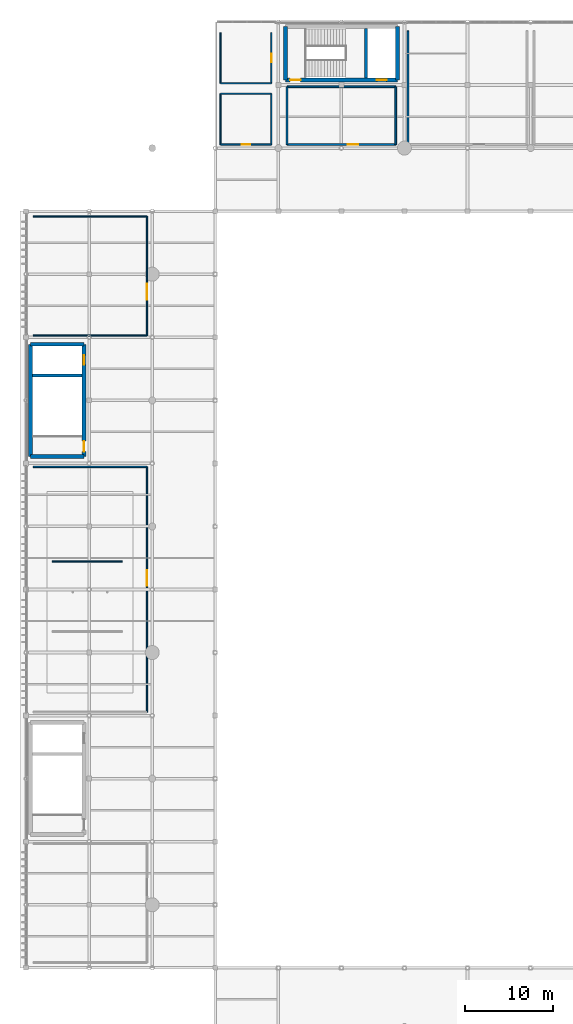
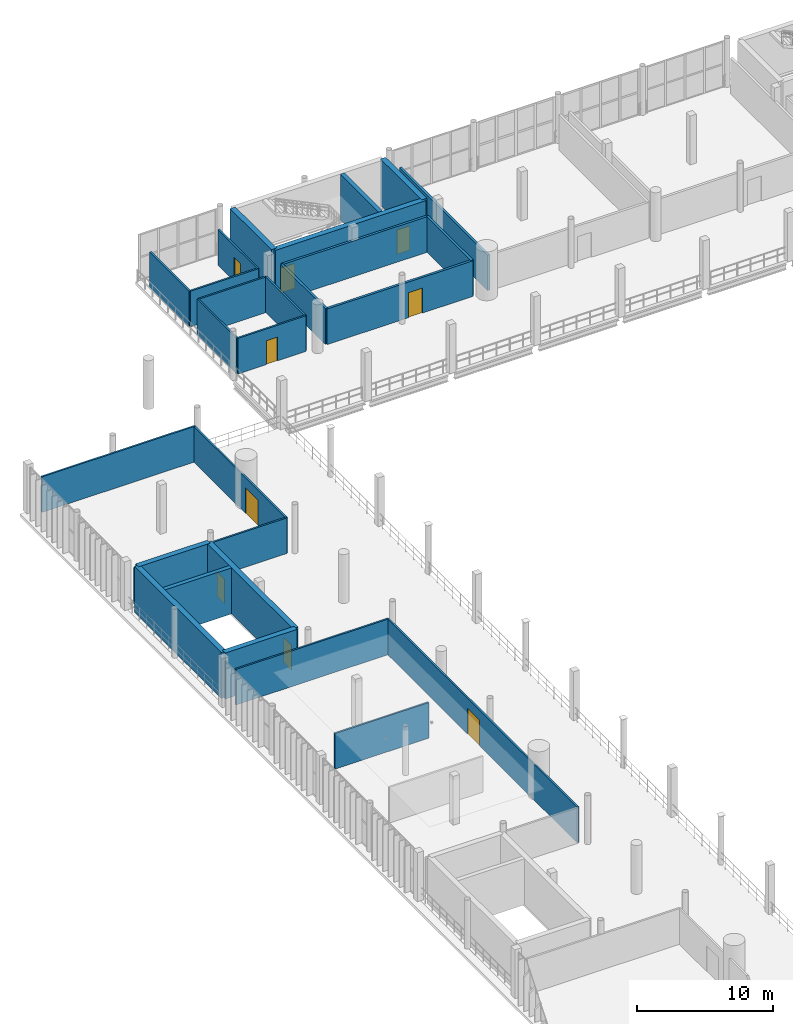
# One storey, part 59 of 81: 27 walls, 9 doors, 9 openings.
"""IFC4 building model written with IfcOpenShell, lengths in metres."""

from ifc_helpers import new_model, si_unit, direction, frame, frame_2d, origin, place, context, subcontext, project, spatial, rectangle, extrude, material, layer, layer_set, type_object, element, fill, save


model = new_model("IFC4")

# Units and contexts
model_context = context("Model", 3, precision=1e-05, world=origin(), true_north=direction((0.0, 1.0)))
body_context = subcontext(model_context, "Body", "Model", "MODEL_VIEW")
ifc_project = project(units=[si_unit("LENGTHUNIT", "METRE"), si_unit("AREAUNIT", "SQUARE_METRE"), si_unit("VOLUMEUNIT", "CUBIC_METRE"), si_unit("PLANEANGLEUNIT", "RADIAN"), si_unit("MASSUNIT", "GRAM", prefix="KILO")], contexts=[model_context])

# Site, building, storey
site_placement = place(None, origin())
site = spatial("IfcSite", under=ifc_project, at=site_placement, CompositionType="ELEMENT")
building_placement = place(site_placement, origin())
building = spatial("IfcBuilding", under=site, at=building_placement, Name="Qandorah Velis Arena", CompositionType="ELEMENT")
storey_placement = place(building_placement, frame((0.0, 0.0, 18.60009765625)))
storey = spatial("IfcBuildingStorey", under=building, at=storey_placement, Name="L04", CompositionType="ELEMENT", Elevation=18.60009765625)

# Wall, opening, door
ifc_material_1 = material(Name="Concrete C35/45", Category="concrete")
ifc_layer_1 = layer(ifc_material_1, 0.199951171875)
ifc_layer_set_1 = layer_set([ifc_layer_1], Name="Concrete C35/45")
wall_type_1 = type_object("IfcWallType", Name="ARC-WAL-FD60-200", PredefinedType="PARTITIONING", material=ifc_layer_set_1)
wall_1_placement = place(storey_placement, frame((29.800048828125, 115.60009765625, 0.0), z_axis=(0.0, 0.0, 1.0), x_axis=(1.0, 0.0, 0.0)))
wall_1 = element("IfcWall", 1, at=wall_1_placement, inside=storey, type_object=wall_type_1, Name="Interior partition L04-TV-ST4 (S)", PredefinedType="PARTITIONING", context=body_context, shape_type="SweptSolid", body=[
    extrude(rectangle(XDim=12.39990234375, YDim=0.199951171875, at=frame_2d((6.199951171875, 0.0))), origin(), (0.0, 0.0, 1.0), 3.2099609375),
])
opening_1_placement = place(wall_1_placement, frame((6.89990234375, 0.0, 0.0)))
opening_1 = element("IfcOpeningElement", 2, at=opening_1_placement, cuts=wall_1, Name="Opening FD2", PredefinedType="OPENING", context=body_context, shape_type="SweptSolid", body=[
    extrude(rectangle(XDim=1.199951171875, YDim=2.25, at=frame_2d((0.60009765625, 1.125))), frame((0.0, 0.10986328125, 0.0), z_axis=(0.0, -1.0, 0.0), x_axis=(1.0, 0.0, 0.0)), (0.0, 0.0, 1.0), 0.219970703125),
])
ifc_material_2 = material(Name="Insulated fire-rated single steel door", Category="steel")
door_type_1 = type_object("IfcDoorType", Name="ARC-DR-FD1200", OperationType="NOTDEFINED", PredefinedType="DOOR", material=ifc_material_2)
door_1_placement = place(opening_1_placement, frame((1.199951171875, 0.0, 0.0), z_axis=(0.0, 0.0, 1.0), x_axis=(-1.0, 0.0, 0.0)))
door_1 = element("IfcDoor", 3, at=door_1_placement, inside=storey, type_object=door_type_1, Name="Door L04-TV-ST4", OperationType="SINGLE_SWING_RIGHT", OverallHeight=2.25, OverallWidth=1.199951171875, PredefinedType="DOOR", context=body_context, shape_type="SweptSolid", body=[
    extrude(rectangle(XDim=1.199951171875, YDim=2.25, at=frame_2d((0.60009765625, 1.125))), frame((0.0, 0.02490234375, 0.0), z_axis=(0.0, -1.0, 0.0), x_axis=(1.0, 0.0, 0.0)), (0.0, 0.0, 1.0), 0.050048828125),
])
fill(opening_1, door_1)

# Walls
wall_2_placement = place(storey_placement, frame((42.199951171875, 115.60009765625, 0.0), z_axis=(0.0, 0.0, 1.0), x_axis=(0.0, 1.0, 0.0)))
element("IfcWall", 4, at=wall_2_placement, inside=storey, type_object=wall_type_1, Name="Interior partition L04-TV-ST4 (E)", PredefinedType="PARTITIONING", context=body_context, shape_type="SweptSolid", body=[
    extrude(rectangle(XDim=6.599853515625, YDim=0.199951171875, at=frame_2d((3.2998046875, 0.0))), origin(), (0.0, 0.0, 1.0), 3.2099609375),
])
wall_3_placement = place(storey_placement, frame((42.199951171875, 122.199951171875, 0.0), z_axis=(0.0, 0.0, 1.0), x_axis=(-1.0, 0.0, 0.0)))
element("IfcWall", 5, at=wall_3_placement, inside=storey, type_object=wall_type_1, Name="Interior partition L04-TV-ST4 (N)", PredefinedType="PARTITIONING", context=body_context, shape_type="SweptSolid", body=[
    extrude(rectangle(XDim=12.39990234375, YDim=0.199951171875, at=frame_2d((6.199951171875, 0.0))), origin(), (0.0, 0.0, 1.0), 3.2099609375),
])
wall_4_placement = place(storey_placement, frame((29.800048828125, 122.199951171875, 0.0), z_axis=(0.0, 0.0, 1.0), x_axis=(0.0, -1.0, 0.0)))
element("IfcWall", 6, at=wall_4_placement, inside=storey, type_object=wall_type_1, Name="Interior partition L04-TV-ST4 (W)", PredefinedType="PARTITIONING", context=body_context, shape_type="SweptSolid", body=[
    extrude(rectangle(XDim=6.599853515625, YDim=0.199951171875, at=frame_2d((3.2998046875, 0.0))), origin(), (0.0, 0.0, 1.0), 3.2099609375),
])
wall_5_placement = place(storey_placement, frame((43.60009765625, 128.60009765625, 0.0), z_axis=(0.0, 0.0, 1.0), x_axis=(0.0, -1.0, 0.0)))
element("IfcWall", 7, at=wall_5_placement, inside=storey, type_object=wall_type_1, Name="Interior partition L04-TV-ST3 (W)", PredefinedType="PARTITIONING", context=body_context, shape_type="SweptSolid", body=[
    extrude(rectangle(XDim=13.0, YDim=0.199951171875, at=frame_2d((6.5, 0.0))), origin(), (0.0, 0.0, 1.0), 3.2099609375),
])
ifc_material_3 = material(Name="Steel S355", Category="steel")
ifc_layer_2 = layer(ifc_material_3, 0.139892578125)
ifc_layer_set_2 = layer_set([ifc_layer_2], Name="Steel S355")
wall_type_2 = type_object("IfcWallType", Name="ARC-WAL-MOV140", PredefinedType="MOVABLE", material=ifc_layer_set_2)
wall_6_placement = place(storey_placement, frame((3.0, 68.0, 0.0), z_axis=(0.0, 0.0, 1.0), x_axis=(1.0, 0.0, 0.0)))
element("IfcWall", 8, at=wall_6_placement, inside=storey, type_object=wall_type_2, Name="Operable acoustic partition MP-06", PredefinedType="MOVABLE", context=body_context, shape_type="SweptSolid", body=[
    extrude(rectangle(XDim=8.0, YDim=0.139892578125, at=frame_2d((4.0, 0.0))), origin(), (0.0, 0.0, 1.0), 3.199951171875),
])

# Wall, opening, door
ifc_layer_3 = layer(ifc_material_1, 0.14990234375)
ifc_layer_set_3 = layer_set([ifc_layer_3], Name="Concrete C35/45")
wall_type_3 = type_object("IfcWallType", Name="ARC-WAL-PART150", PredefinedType="PARTITIONING", material=ifc_layer_set_3)
wall_7_placement = place(storey_placement, frame((13.800048828125, 50.800048828125, 0.0), z_axis=(0.0, 0.0, 1.0), x_axis=(0.0, 1.0, 0.0)))
wall_7 = element("IfcWall", 9, at=wall_7_placement, inside=storey, type_object=wall_type_3, Name="Interior partition L04-PRS-WRK (E)", PredefinedType="PARTITIONING", context=body_context, shape_type="SweptSolid", body=[
    extrude(rectangle(XDim=28.0, YDim=0.14990234375, at=frame_2d((14.0, 0.0))), origin(), (0.0, 0.0, 1.0), 3.2099609375),
])
opening_2_placement = place(wall_7_placement, frame((14.39990234375, 0.0, 0.0)))
opening_2 = element("IfcOpeningElement", 10, at=opening_2_placement, cuts=wall_7, Name="Opening D3", PredefinedType="OPENING", context=body_context, shape_type="SweptSolid", body=[
    extrude(rectangle(XDim=1.800048828125, YDim=2.300048828125, at=frame_2d((0.89990234375, 1.14990234375))), frame((0.0, 0.0849609375, 0.0), z_axis=(0.0, -1.0, 0.0), x_axis=(1.0, 0.0, 0.0)), (0.0, 0.0, 1.0), 0.169921875),
])
ifc_material_4 = material(Name="Double-leaf acoustic timber door", Category="wood")
door_type_2 = type_object("IfcDoorType", Name="ARC-DR-DBL1800", OperationType="NOTDEFINED", PredefinedType="DOOR", material=ifc_material_4)
door_2_placement = place(opening_2_placement, frame((1.800048828125, 0.0, 0.0), z_axis=(0.0, 0.0, 1.0), x_axis=(-1.0, 0.0, 0.0)))
door_2 = element("IfcDoor", 11, at=door_2_placement, inside=storey, type_object=door_type_2, Name="Door L04-PRS-WRK", OperationType="DOUBLE_DOOR_SINGLE_SWING", OverallHeight=2.300048828125, OverallWidth=1.800048828125, PredefinedType="DOOR", context=body_context, shape_type="SweptSolid", body=[
    extrude(rectangle(XDim=1.800048828125, YDim=2.300048828125, at=frame_2d((0.89990234375, 1.14990234375))), frame((0.0, 0.02490234375, 0.0), z_axis=(0.0, -1.0, 0.0), x_axis=(1.0, 0.0, 0.0)), (0.0, 0.0, 1.0), 0.050048828125),
])
fill(opening_2, door_2)

# Walls
for number, where, z_axis, x_axis, name in (
    (12, (13.800048828125, 78.800048828125, 0.0), (0.0, 0.0, 1.0), (-1.0, 0.0, 0.0), "Interior partition L04-PRS-WRK (N)"),
    (13, (0.800048828125, 93.800048828125, 0.0), (0.0, 0.0, 1.0), (1.0, 0.0, 0.0), "Interior partition L04-MED-DIN (S)"),
):
    element("IfcWall", number, at=place(storey_placement, frame(where, z_axis=z_axis, x_axis=x_axis)), inside=storey, type_object=wall_type_3, Name=name, PredefinedType="PARTITIONING", context=body_context, shape_type="SweptSolid", body=[
        extrude(rectangle(XDim=13.0, YDim=0.14990234375, at=frame_2d((6.5, 0.0))), origin(), (0.0, 0.0, 1.0), 3.2099609375),
    ])

# Wall, opening, door
wall_8_placement = place(storey_placement, frame((13.800048828125, 93.800048828125, 0.0), z_axis=(0.0, 0.0, 1.0), x_axis=(0.0, 1.0, 0.0)))
wall_8 = element("IfcWall", 14, at=wall_8_placement, inside=storey, type_object=wall_type_3, Name="Interior partition L04-MED-DIN (E)", PredefinedType="PARTITIONING", context=body_context, shape_type="SweptSolid", body=[
    extrude(rectangle(XDim=13.599853515625, YDim=0.14990234375, at=frame_2d((6.7998046875, 0.0))), origin(), (0.0, 0.0, 1.0), 3.2099609375),
])
opening_3_placement = place(wall_8_placement, frame((4.10009765625, 0.0, 0.0)))
opening_3 = element("IfcOpeningElement", 15, at=opening_3_placement, cuts=wall_8, Name="Opening D3", PredefinedType="OPENING", context=body_context, shape_type="SweptSolid", body=[
    extrude(rectangle(XDim=1.800048828125, YDim=2.300048828125, at=frame_2d((0.89990234375, 1.14990234375))), frame((0.0, 0.0849609375, 0.0), z_axis=(0.0, -1.0, 0.0), x_axis=(1.0, 0.0, 0.0)), (0.0, 0.0, 1.0), 0.169921875),
])
door_3_placement = place(opening_3_placement, frame((1.800048828125, 0.0, 0.0), z_axis=(0.0, 0.0, 1.0), x_axis=(-1.0, 0.0, 0.0)))
door_3 = element("IfcDoor", 16, at=door_3_placement, inside=storey, type_object=door_type_2, Name="Door L04-MED-DIN", OperationType="DOUBLE_DOOR_SINGLE_SWING", OverallHeight=2.300048828125, OverallWidth=1.800048828125, PredefinedType="DOOR", context=body_context, shape_type="SweptSolid", body=[
    extrude(rectangle(XDim=1.800048828125, YDim=2.300048828125, at=frame_2d((0.89990234375, 1.14990234375))), frame((0.0, 0.02490234375, 0.0), z_axis=(0.0, -1.0, 0.0), x_axis=(1.0, 0.0, 0.0)), (0.0, 0.0, 1.0), 0.050048828125),
])
fill(opening_3, door_3)

# Wall
wall_9_placement = place(storey_placement, frame((13.800048828125, 107.39990234375, 0.0), z_axis=(0.0, 0.0, 1.0), x_axis=(-1.0, 0.0, 0.0)))
element("IfcWall", 17, at=wall_9_placement, inside=storey, type_object=wall_type_3, Name="Interior partition L04-MED-DIN (N)", PredefinedType="PARTITIONING", context=body_context, shape_type="SweptSolid", body=[
    extrude(rectangle(XDim=13.0, YDim=0.14990234375, at=frame_2d((6.5, 0.0))), origin(), (0.0, 0.0, 1.0), 3.2099609375),
])

# Wall, opening, door
wall_10_placement = place(storey_placement, frame((22.199951171875, 115.60009765625, 0.0), z_axis=(0.0, 0.0, 1.0), x_axis=(1.0, 0.0, 0.0)))
wall_10 = element("IfcWall", 18, at=wall_10_placement, inside=storey, type_object=wall_type_3, Name="Interior partition L04-L04-MWC (S)", PredefinedType="PARTITIONING", context=body_context, shape_type="SweptSolid", body=[
    extrude(rectangle(XDim=5.800048828125, YDim=0.14990234375, at=frame_2d((2.89990234375, 0.0))), origin(), (0.0, 0.0, 1.0), 3.2099609375),
])
opening_4_placement = place(wall_10_placement, frame((2.425048828125, 0.0, 0.0)))
opening_4 = element("IfcOpeningElement", 19, at=opening_4_placement, cuts=wall_10, Name="Opening D4", PredefinedType="OPENING", context=body_context, shape_type="SweptSolid", body=[
    extrude(rectangle(XDim=0.949951171875, YDim=2.14990234375, at=frame_2d((0.47509765625, 1.074951171875))), frame((0.0, 0.0849609375, 0.0), z_axis=(0.0, -1.0, 0.0), x_axis=(1.0, 0.0, 0.0)), (0.0, 0.0, 1.0), 0.169921875),
])
ifc_material_5 = material(Name="Moisture-resistant laminate door")
door_type_3 = type_object("IfcDoorType", Name="ARC-DR-WC950", OperationType="NOTDEFINED", PredefinedType="DOOR", material=ifc_material_5)
door_4_placement = place(opening_4_placement, origin())
door_4 = element("IfcDoor", 20, at=door_4_placement, inside=storey, type_object=door_type_3, Name="Door L04-L04-MWC", OperationType="SINGLE_SWING_LEFT", OverallHeight=2.14990234375, OverallWidth=0.949951171875, PredefinedType="DOOR", context=body_context, shape_type="SweptSolid", body=[
    extrude(rectangle(XDim=0.949951171875, YDim=2.14990234375, at=frame_2d((0.47509765625, 1.074951171875))), frame((0.0, 0.02490234375, 0.0), z_axis=(0.0, -1.0, 0.0), x_axis=(1.0, 0.0, 0.0)), (0.0, 0.0, 1.0), 0.050048828125),
])
fill(opening_4, door_4)

# Walls
wall_11_placement = place(storey_placement, frame((28.0, 115.60009765625, 0.0), z_axis=(0.0, 0.0, 1.0), x_axis=(0.0, 1.0, 0.0)))
element("IfcWall", 21, at=wall_11_placement, inside=storey, type_object=wall_type_3, Name="Interior partition L04-L04-MWC (E)", PredefinedType="PARTITIONING", context=body_context, shape_type="SweptSolid", body=[
    extrude(rectangle(XDim=5.7998046875, YDim=0.14990234375, at=frame_2d((2.89990234375, 0.0))), origin(), (0.0, 0.0, 1.0), 3.2099609375),
])
wall_12_placement = place(storey_placement, frame((28.0, 121.39990234375, 0.0), z_axis=(0.0, 0.0, 1.0), x_axis=(-1.0, 0.0, 0.0)))
element("IfcWall", 22, at=wall_12_placement, inside=storey, type_object=wall_type_3, Name="Interior partition L04-L04-MWC (N)", PredefinedType="PARTITIONING", context=body_context, shape_type="SweptSolid", body=[
    extrude(rectangle(XDim=5.800048828125, YDim=0.14990234375, at=frame_2d((2.89990234375, 0.0))), origin(), (0.0, 0.0, 1.0), 3.2099609375),
])
wall_13_placement = place(storey_placement, frame((22.199951171875, 121.39990234375, 0.0), z_axis=(0.0, 0.0, 1.0), x_axis=(0.0, -1.0, 0.0)))
element("IfcWall", 23, at=wall_13_placement, inside=storey, type_object=wall_type_3, Name="Interior partition L04-L04-MWC (W)", PredefinedType="PARTITIONING", context=body_context, shape_type="SweptSolid", body=[
    extrude(rectangle(XDim=5.7998046875, YDim=0.14990234375, at=frame_2d((2.89990234375, 0.0))), origin(), (0.0, 0.0, 1.0), 3.2099609375),
])
wall_14_placement = place(storey_placement, frame((22.199951171875, 122.60009765625, 0.0), z_axis=(0.0, 0.0, 1.0), x_axis=(1.0, 0.0, 0.0)))
element("IfcWall", 24, at=wall_14_placement, inside=storey, type_object=wall_type_3, Name="Interior partition L04-L04-FWC (S)", PredefinedType="PARTITIONING", context=body_context, shape_type="SweptSolid", body=[
    extrude(rectangle(XDim=5.800048828125, YDim=0.14990234375, at=frame_2d((2.89990234375, 0.0))), origin(), (0.0, 0.0, 1.0), 3.2099609375),
])

# Wall, opening, door
wall_15_placement = place(storey_placement, frame((28.0, 122.60009765625, 0.0), z_axis=(0.0, 0.0, 1.0), x_axis=(0.0, 1.0, 0.0)))
wall_15 = element("IfcWall", 25, at=wall_15_placement, inside=storey, type_object=wall_type_3, Name="Interior partition L04-L04-FWC (E)", PredefinedType="PARTITIONING", context=body_context, shape_type="SweptSolid", body=[
    extrude(rectangle(XDim=5.7998046875, YDim=0.14990234375, at=frame_2d((2.89990234375, 0.0))), origin(), (0.0, 0.0, 1.0), 3.2099609375),
])
opening_5_placement = place(wall_15_placement, frame((2.425048828125, 0.0, 0.0)))
opening_5 = element("IfcOpeningElement", 26, at=opening_5_placement, cuts=wall_15, Name="Opening D4", PredefinedType="OPENING", context=body_context, shape_type="SweptSolid", body=[
    extrude(rectangle(XDim=0.949951171875, YDim=2.14990234375, at=frame_2d((0.47509765625, 1.074951171875))), frame((0.0, 0.0849609375, 0.0), z_axis=(0.0, -1.0, 0.0), x_axis=(1.0, 0.0, 0.0)), (0.0, 0.0, 1.0), 0.169921875),
])
door_5_placement = place(opening_5_placement, frame((0.949951171875, 0.0, 0.0), z_axis=(0.0, 0.0, 1.0), x_axis=(-1.0, 0.0, 0.0)))
door_5 = element("IfcDoor", 27, at=door_5_placement, inside=storey, type_object=door_type_3, Name="Door L04-L04-FWC", OperationType="SINGLE_SWING_RIGHT", OverallHeight=2.14990234375, OverallWidth=0.949951171875, PredefinedType="DOOR", context=body_context, shape_type="SweptSolid", body=[
    extrude(rectangle(XDim=0.949951171875, YDim=2.14990234375, at=frame_2d((0.47509765625, 1.074951171875))), frame((0.0, 0.02490234375, 0.0), z_axis=(0.0, -1.0, 0.0), x_axis=(1.0, 0.0, 0.0)), (0.0, 0.0, 1.0), 0.050048828125),
])
fill(opening_5, door_5)

# Wall
wall_16_placement = place(storey_placement, frame((22.199951171875, 128.39990234375, 0.0), z_axis=(0.0, 0.0, 1.0), x_axis=(0.0, -1.0, 0.0)))
element("IfcWall", 28, at=wall_16_placement, inside=storey, type_object=wall_type_3, Name="Interior partition L04-L04-FWC (W)", PredefinedType="PARTITIONING", context=body_context, shape_type="SweptSolid", body=[
    extrude(rectangle(XDim=5.7998046875, YDim=0.14990234375, at=frame_2d((2.89990234375, 0.0))), origin(), (0.0, 0.0, 1.0), 3.2099609375),
])

# Wall, openings, doors
ifc_material_6 = material(Name="Concrete C40/50", Category="concrete")
ifc_layer_4 = layer(ifc_material_6, 0.449951171875)
ifc_layer_set_4 = layer_set([ifc_layer_4], Name="Concrete C40/50")
wall_type_4 = type_object("IfcWallType", Name="STR-WAL-CORE450", PredefinedType="SHEAR", material=ifc_layer_set_4)
wall_17_placement = place(storey_placement, frame((29.60009765625, 123.0, 0.0), z_axis=(0.0, 0.0, 1.0), x_axis=(1.0, 0.0, 0.0)))
wall_17 = element("IfcWall", 29, at=wall_17_placement, inside=storey, type_object=wall_type_4, Name="Core CORE-03 shear wall S (L04)", PredefinedType="SHEAR", context=body_context, shape_type="SweptSolid", body=[
    extrude(rectangle(XDim=12.7998046875, YDim=0.449951171875, at=frame_2d((6.39990234375, 0.0))), origin(), (0.0, 0.0, 1.0), 4.14990234375),
])
opening_6_placement = place(wall_17_placement, frame((0.550048828125, 0.0, 0.0)))
opening_6 = element("IfcOpeningElement", 30, at=opening_6_placement, cuts=wall_17, Name="Opening SD1", PredefinedType="OPENING", context=body_context, shape_type="SweptSolid", body=[
    extrude(rectangle(XDim=1.199951171875, YDim=2.25, at=frame_2d((0.60009765625, 1.125))), frame((0.0, 0.23486328125, 0.0), z_axis=(0.0, -1.0, 0.0), x_axis=(1.0, 0.0, 0.0)), (0.0, 0.0, 1.0), 0.469970703125),
])
opening_7_placement = place(wall_17_placement, frame((10.4580078125, 0.0, 0.0)))
opening_7 = element("IfcOpeningElement", 31, at=opening_7_placement, cuts=wall_17, Name="Opening LD1", PredefinedType="OPENING", context=body_context, shape_type="SweptSolid", body=[
    extrude(rectangle(XDim=1.10009765625, YDim=2.199951171875, at=frame_2d((0.550048828125, 1.10009765625))), frame((0.0, 0.23486328125, 0.0), z_axis=(0.0, -1.0, 0.0), x_axis=(1.0, 0.0, 0.0)), (0.0, 0.0, 1.0), 0.469970703125),
])
ifc_material_7 = material(Name="Stainless steel sliding lift landing door", Category="steel")
door_type_4 = type_object("IfcDoorType", Name="ARC-DR-LD1100", OperationType="NOTDEFINED", PredefinedType="DOOR", material=ifc_material_7)
door_6_placement = place(opening_7_placement, origin())
door_6 = element("IfcDoor", 32, at=door_6_placement, inside=storey, type_object=door_type_4, Name="Lift PL1 sliding landing door (L04)", OperationType="SLIDING_TO_RIGHT", OverallHeight=2.199951171875, OverallWidth=1.10009765625, PredefinedType="DOOR", context=body_context, shape_type="SweptSolid", body=[
    extrude(rectangle(XDim=1.10009765625, YDim=2.199951171875, at=frame_2d((0.550048828125, 1.10009765625))), frame((0.0, 0.02490234375, 0.0), z_axis=(0.0, -1.0, 0.0), x_axis=(1.0, 0.0, 0.0)), (0.0, 0.0, 1.0), 0.050048828125),
])
fill(opening_7, door_6)
ifc_material_8 = material(Name="Self-closing fire-rated stair steel door", Category="steel")
door_type_5 = type_object("IfcDoorType", Name="ARC-DR-ST1200", OperationType="NOTDEFINED", PredefinedType="DOOR", material=ifc_material_8)
door_7_placement = place(opening_6_placement, origin())
door_7 = element("IfcDoor", 33, at=door_7_placement, inside=storey, type_object=door_type_5, Name="Stair ST3 fire door (L04)", OperationType="SINGLE_SWING_LEFT", OverallHeight=2.25, OverallWidth=1.199951171875, PredefinedType="DOOR", context=body_context, shape_type="SweptSolid", body=[
    extrude(rectangle(XDim=1.199951171875, YDim=2.25, at=frame_2d((0.60009765625, 1.125))), frame((0.0, 0.02490234375, 0.0), z_axis=(0.0, -1.0, 0.0), x_axis=(1.0, 0.0, 0.0)), (0.0, 0.0, 1.0), 0.050048828125),
])
fill(opening_6, door_7)

# Walls
for number, where, z_axis, x_axis, name in (
    (34, (29.60009765625, 123.0, 0.0), (0.0, 0.0, 1.0), (0.0, 1.0, 0.0), "Core CORE-03 shear wall W (L04)"),
    (35, (42.39990234375, 123.0, 0.0), (0.0, 0.0, 1.0), (0.0, 1.0, 0.0), "Core CORE-03 shear wall E (L04)"),
    (36, (0.5, 80.0, 0.0), (0.0, 0.0, 1.0), (1.0, 0.0, 0.0), "Core CORE-06 shear wall S (L04)"),
    (37, (0.5, 92.800048828125, 0.0), (0.0, 0.0, 1.0), (1.0, 0.0, 0.0), "Core CORE-06 shear wall N (L04)"),
):
    element("IfcWall", number, at=place(storey_placement, frame(where, z_axis=z_axis, x_axis=x_axis)), inside=storey, type_object=wall_type_4, Name=name, PredefinedType="SHEAR", context=body_context, shape_type="SweptSolid", body=[
        extrude(rectangle(XDim=6.10009765625, YDim=0.449951171875, at=frame_2d((3.050048828125, 0.0))), origin(), (0.0, 0.0, 1.0), 4.14990234375),
    ])
wall_18_placement = place(storey_placement, frame((0.5, 80.0, 0.0), z_axis=(0.0, 0.0, 1.0), x_axis=(0.0, 1.0, 0.0)))
element("IfcWall", 38, at=wall_18_placement, inside=storey, type_object=wall_type_4, Name="Core CORE-06 shear wall W (L04)", PredefinedType="SHEAR", context=body_context, shape_type="SweptSolid", body=[
    extrude(rectangle(XDim=12.800048828125, YDim=0.449951171875, at=frame_2d((6.39990234375, 0.0))), origin(), (0.0, 0.0, 1.0), 4.14990234375),
])

# Wall, openings, doors
wall_19_placement = place(storey_placement, frame((6.60009765625, 80.0, 0.0), z_axis=(0.0, 0.0, 1.0), x_axis=(0.0, 1.0, 0.0)))
wall_19 = element("IfcWall", 39, at=wall_19_placement, inside=storey, type_object=wall_type_4, Name="Core CORE-06 shear wall E (L04)", PredefinedType="SHEAR", context=body_context, shape_type="SweptSolid", body=[
    extrude(rectangle(XDim=12.800048828125, YDim=0.449951171875, at=frame_2d((6.39990234375, 0.0))), origin(), (0.0, 0.0, 1.0), 4.14990234375),
])
opening_8_placement = place(wall_19_placement, frame((0.550048828125, 0.0, 0.0)))
opening_8 = element("IfcOpeningElement", 40, at=opening_8_placement, cuts=wall_19, Name="Opening SD1", PredefinedType="OPENING", context=body_context, shape_type="SweptSolid", body=[
    extrude(rectangle(XDim=1.199951171875, YDim=2.25, at=frame_2d((0.60009765625, 1.125))), frame((0.0, 0.23486328125, 0.0), z_axis=(0.0, -1.0, 0.0), x_axis=(1.0, 0.0, 0.0)), (0.0, 0.0, 1.0), 0.469970703125),
])
opening_9_placement = place(wall_19_placement, frame((10.4580078125, 0.0, 0.0)))
opening_9 = element("IfcOpeningElement", 41, at=opening_9_placement, cuts=wall_19, Name="Opening LD1", PredefinedType="OPENING", context=body_context, shape_type="SweptSolid", body=[
    extrude(rectangle(XDim=1.10009765625, YDim=2.199951171875, at=frame_2d((0.550048828125, 1.10009765625))), frame((0.0, 0.23486328125, 0.0), z_axis=(0.0, -1.0, 0.0), x_axis=(1.0, 0.0, 0.0)), (0.0, 0.0, 1.0), 0.469970703125),
])
door_8_placement = place(opening_9_placement, origin())
door_8 = element("IfcDoor", 42, at=door_8_placement, inside=storey, type_object=door_type_4, Name="Lift PL4 sliding landing door (L04)", OperationType="SLIDING_TO_RIGHT", OverallHeight=2.199951171875, OverallWidth=1.10009765625, PredefinedType="DOOR", context=body_context, shape_type="SweptSolid", body=[
    extrude(rectangle(XDim=1.10009765625, YDim=2.199951171875, at=frame_2d((0.550048828125, 1.10009765625))), frame((0.0, 0.02490234375, 0.0), z_axis=(0.0, -1.0, 0.0), x_axis=(1.0, 0.0, 0.0)), (0.0, 0.0, 1.0), 0.050048828125),
])
fill(opening_9, door_8)
door_9_placement = place(opening_8_placement, origin())
door_9 = element("IfcDoor", 43, at=door_9_placement, inside=storey, type_object=door_type_5, Name="Stair ST6 fire door (L04)", OperationType="SINGLE_SWING_LEFT", OverallHeight=2.25, OverallWidth=1.199951171875, PredefinedType="DOOR", context=body_context, shape_type="SweptSolid", body=[
    extrude(rectangle(XDim=1.199951171875, YDim=2.25, at=frame_2d((0.60009765625, 1.125))), frame((0.0, 0.02490234375, 0.0), z_axis=(0.0, -1.0, 0.0), x_axis=(1.0, 0.0, 0.0)), (0.0, 0.0, 1.0), 0.050048828125),
])
fill(opening_8, door_9)

# Walls
ifc_layer_5 = layer(ifc_material_6, 0.35009765625)
ifc_layer_set_5 = layer_set([ifc_layer_5], Name="Concrete C40/50")
wall_type_5 = type_object("IfcWallType", Name="STR-WAL-SH350", PredefinedType="SHEAR", material=ifc_layer_set_5)
for number, where, z_axis, x_axis, name in (
    (44, (38.81591796875, 123.22509765625, 0.0), (0.0, 0.0, 1.0), (0.0, 1.0, 0.0), "Core CORE-03 shaft divider shear wall (L04)"),
    (45, (0.72509765625, 89.216064453125, 0.0), (0.0, 0.0, 1.0), (1.0, 0.0, 0.0), "Core CORE-06 shaft divider shear wall (L04)"),
):
    element("IfcWall", number, at=place(storey_placement, frame(where, z_axis=z_axis, x_axis=x_axis)), inside=storey, type_object=wall_type_5, Name=name, PredefinedType="SHEAR", context=body_context, shape_type="SweptSolid", body=[
        extrude(rectangle(XDim=5.64990234375, YDim=0.35009765625, at=frame_2d((2.824951171875, 0.0))), origin(), (0.0, 0.0, 1.0), 4.14990234375),
    ])

save(model, "model.ifc")
